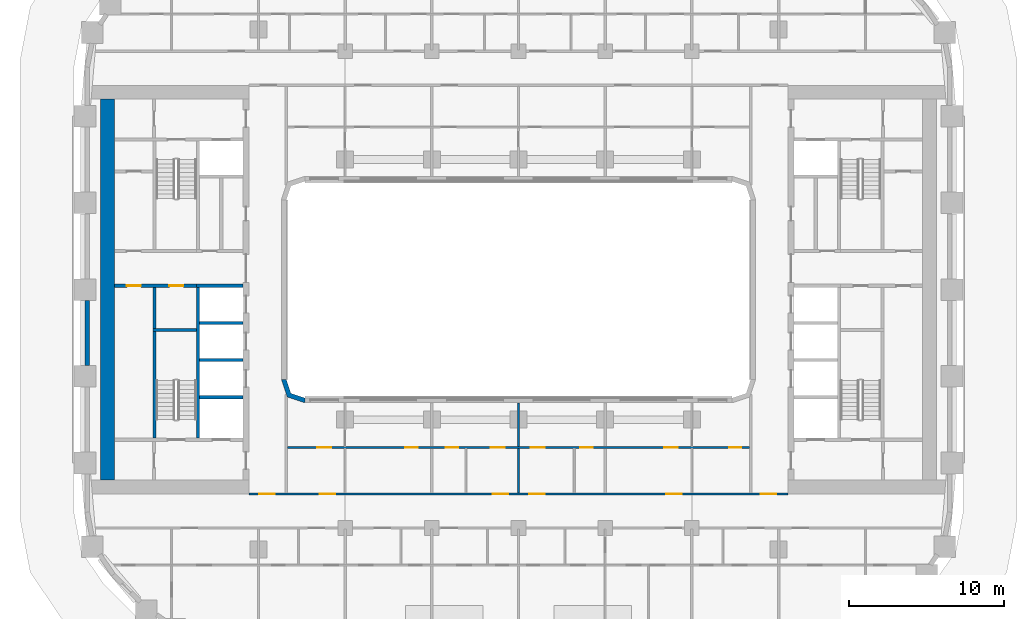
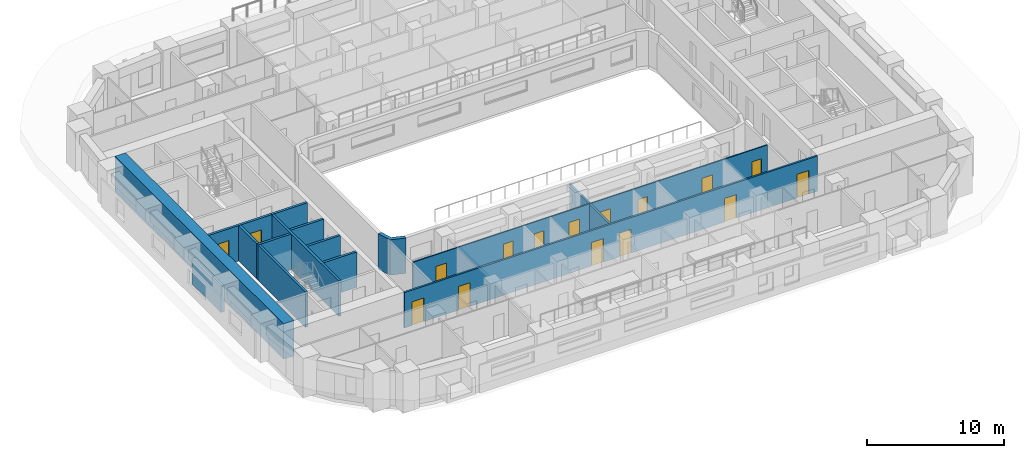
# One storey, part 4 of 18: 16 doors, 16 walls, 16 openings.
"""IFC4 building model written with IfcOpenShell, lengths in metres."""

from ifc_helpers import new_model, si_unit, direction, frame, frame_2d, origin, place, context, subcontext, project, spatial, polyline, rectangle, outline, extrude, material, layer, layer_set, type_object, element, fill, save


model = new_model("IFC4")

# Units and contexts
model_context = context("Model", 3, precision=1e-05, world=origin(), true_north=direction((0.0, 1.0)))
body_context = subcontext(model_context, "Body", "Model", "MODEL_VIEW")
ifc_project = project(units=[si_unit("LENGTHUNIT", "METRE"), si_unit("AREAUNIT", "SQUARE_METRE"), si_unit("VOLUMEUNIT", "CUBIC_METRE"), si_unit("PLANEANGLEUNIT", "RADIAN"), si_unit("MASSUNIT", "GRAM", prefix="KILO")], contexts=[model_context])

# Site, building, storey
site_placement = place(None, origin())
site = spatial("IfcSite", under=ifc_project, at=site_placement, CompositionType="ELEMENT")
building_placement = place(site_placement, origin())
building = spatial("IfcBuilding", under=site, at=building_placement, Name="Kiln Ring Residences", CompositionType="ELEMENT")
storey_placement = place(building_placement, frame((0.0, 0.0, 69.0)))
storey = spatial("IfcBuildingStorey", under=building, at=storey_placement, Name="L17", CompositionType="ELEMENT", Elevation=69.0)

# Wall
ifc_material_1 = material(Name="Gypsum board on steel studs", Category="steel")
ifc_layer_1 = layer(ifc_material_1, 0.199951171875)
ifc_layer_set_1 = layer_set([ifc_layer_1], Name="CORE-PARTITION-200")
wall_type_1 = type_object("IfcWallType", Name="CORE-PARTITION-200", PredefinedType="PARTITIONING", material=ifc_layer_set_1)
wall_1_placement = place(storey_placement, frame((-23.5, -2.5, 0.0), z_axis=(0.0, 0.0, 1.0), x_axis=(0.0, 1.0, 0.0)))
element("IfcWall", 1, at=wall_1_placement, inside=storey, type_object=wall_type_1, Name="Core partition west L17 1", PredefinedType="PARTITIONING", context=body_context, shape_type="SweptSolid", body=[
    extrude(rectangle(XDim=2.64990234375, YDim=0.199951171875, at=frame_2d((1.324951171875, 0.0))), origin(), (0.0, 0.0, 1.0), 3.14990234375),
])

# Wall, openings, doors
wall_2_placement = place(storey_placement, frame((-20.800048828125, 0.25, 0.0), z_axis=(0.0, 0.0, 1.0), x_axis=(-1.0, 0.0, 0.0)))
wall_2 = element("IfcWall", 2, at=wall_2_placement, inside=storey, type_object=wall_type_1, Name="Core partition west L17 2", PredefinedType="PARTITIONING", context=body_context, shape_type="SweptSolid", body=[
    extrude(rectangle(XDim=5.300048828125, YDim=0.199951171875, at=frame_2d((2.64990234375, 0.0))), origin(), (0.0, 0.0, 1.0), 3.14990234375),
])
opening_1_placement = place(wall_2_placement, frame((0.85009765625, 0.0, 0.0)))
opening_1 = element("IfcOpeningElement", 3, at=opening_1_placement, cuts=wall_2, Name="Opening L17-CW15", PredefinedType="OPENING", context=body_context, shape_type="SweptSolid", body=[
    extrude(rectangle(XDim=0.89990234375, YDim=2.10009765625, at=frame_2d((0.449951171875, 1.050048828125))), frame((0.0, 0.10986328125, 0.0), z_axis=(0.0, -1.0, 0.0), x_axis=(1.0, 0.0, 0.0)), (0.0, 0.0, 1.0), 0.219970703125),
])
opening_2_placement = place(wall_2_placement, frame((3.60009765625, 0.0, 0.0)))
opening_2 = element("IfcOpeningElement", 4, at=opening_2_placement, cuts=wall_2, Name="Opening L17-CW16", PredefinedType="OPENING", context=body_context, shape_type="SweptSolid", body=[
    extrude(rectangle(XDim=0.89990234375, YDim=2.10009765625, at=frame_2d((0.449951171875, 1.050048828125))), frame((0.0, 0.10986328125, 0.0), z_axis=(0.0, -1.0, 0.0), x_axis=(1.0, 0.0, 0.0)), (0.0, 0.0, 1.0), 0.219970703125),
])
ifc_material_2 = material(Name="Steel door leaf", Category="steel")
door_type_1 = type_object("IfcDoorType", Name="CORE-DOOR-ROOM", OperationType="SINGLE_SWING_LEFT", PredefinedType="DOOR", material=ifc_material_2)
door_1_placement = place(opening_1_placement, origin())
door_1 = element("IfcDoor", 5, at=door_1_placement, inside=storey, type_object=door_type_1, Name="Refuse and recycling room L17-CW15", OperationType="SINGLE_SWING_LEFT", OverallHeight=2.10009765625, OverallWidth=0.89990234375, PredefinedType="DOOR", context=body_context, shape_type="SweptSolid", body=[
    extrude(rectangle(XDim=0.89990234375, YDim=2.10009765625, at=frame_2d((0.449951171875, 1.050048828125))), frame((0.0, 0.02490234375, 0.0), z_axis=(0.0, -1.0, 0.0), x_axis=(1.0, 0.0, 0.0)), (0.0, 0.0, 1.0), 0.050048828125),
])
fill(opening_1, door_1)
door_2_placement = place(opening_2_placement, origin())
door_2 = element("IfcDoor", 6, at=door_2_placement, inside=storey, type_object=door_type_1, Name="Water tank room L17-CW16", OperationType="SINGLE_SWING_RIGHT", OverallHeight=2.10009765625, OverallWidth=0.89990234375, PredefinedType="DOOR", context=body_context, shape_type="SweptSolid", body=[
    extrude(rectangle(XDim=0.89990234375, YDim=2.10009765625, at=frame_2d((0.449951171875, 1.050048828125))), frame((0.0, 0.02490234375, 0.0), z_axis=(0.0, -1.0, 0.0), x_axis=(1.0, 0.0, 0.0)), (0.0, 0.0, 1.0), 0.050048828125),
])
fill(opening_2, door_2)

# Walls
ifc_material_3 = material(Name="Gypsum shaft wall system")
ifc_layer_2 = layer(ifc_material_3, 0.199951171875)
ifc_layer_set_2 = layer_set([ifc_layer_2], Name="CORE-SHAFT-WALL-200")
wall_type_2 = type_object("IfcWallType", Name="CORE-SHAFT-WALL-200", PredefinedType="PARTITIONING", material=ifc_layer_set_2)
for number, where, z_axis, x_axis, name in (
    (7, (-17.800048828125, -6.949951171875, 0.0), (0.0, 0.0, 1.0), (-1.0, 0.0, 0.0), "Core partition west L17 7"),
    (8, (-17.800048828125, -4.550048828125, 0.0), (0.0, 0.0, 1.0), (-1.0, 0.0, 0.0), "Core partition west L17 8"),
    (9, (-17.800048828125, -2.14990234375, 0.0), (0.0, 0.0, 1.0), (-1.0, 0.0, 0.0), "Core partition west L17 9"),
):
    element("IfcWall", number, at=place(storey_placement, frame(where, z_axis=z_axis, x_axis=x_axis)), inside=storey, type_object=wall_type_2, Name=name, PredefinedType="PARTITIONING", context=body_context, shape_type="SweptSolid", body=[
        extrude(rectangle(XDim=2.800048828125, YDim=0.199951171875, at=frame_2d((1.39990234375, 0.0))), origin(), (0.0, 0.0, 1.0), 3.14990234375),
    ])
wall_3_placement = place(storey_placement, frame((-17.800048828125, 0.25, 0.0), z_axis=(0.0, 0.0, 1.0), x_axis=(-1.0, 0.0, 0.0)))
element("IfcWall", 10, at=wall_3_placement, inside=storey, type_object=wall_type_2, Name="Core partition west L17 10", PredefinedType="PARTITIONING", context=body_context, shape_type="SweptSolid", body=[
    extrude(rectangle(XDim=3.0, YDim=0.199951171875, at=frame_2d((1.5, 0.0))), origin(), (0.0, 0.0, 1.0), 3.14990234375),
])
ifc_material_4 = material(Name="Concrete C40/50", Category="concrete")
ifc_layer_3 = layer(ifc_material_4, 0.199951171875)
ifc_layer_set_3 = layer_set([ifc_layer_3], Name="CORE-WALL-RC200")
wall_type_3 = type_object("IfcWallType", Name="CORE-WALL-RC200", PredefinedType="SHEAR", material=ifc_layer_set_3)
wall_4_placement = place(storey_placement, frame((-20.699951171875, -9.60009765625, 0.0), z_axis=(0.0, 0.0, 1.0), x_axis=(0.0, 1.0, 0.0)))
element("IfcWall", 11, at=wall_4_placement, inside=storey, type_object=wall_type_3, Name="Core wall west L17 2", PredefinedType="SHEAR", context=body_context, shape_type="SweptSolid", body=[
    extrude(rectangle(XDim=9.75, YDim=0.199951171875, at=frame_2d((4.875, 0.0))), origin(), (0.0, 0.0, 1.0), 3.14990234375),
])
wall_5_placement = place(storey_placement, frame((-23.5, -9.60009765625, 0.0), z_axis=(0.0, 0.0, 1.0), x_axis=(0.0, 1.0, 0.0)))
element("IfcWall", 12, at=wall_5_placement, inside=storey, type_object=wall_type_3, Name="Core wall west L17 11", PredefinedType="SHEAR", context=body_context, shape_type="SweptSolid", body=[
    extrude(rectangle(XDim=6.900146484375, YDim=0.199951171875, at=frame_2d((3.4501953125, 0.0))), origin(), (0.0, 0.0, 1.0), 3.14990234375),
])
wall_6_placement = place(storey_placement, frame((-20.800048828125, -2.60009765625, 0.0), z_axis=(0.0, 0.0, 1.0), x_axis=(-1.0, 0.0, 0.0)))
element("IfcWall", 13, at=wall_6_placement, inside=storey, type_object=wall_type_3, Name="Core wall west L17 12", PredefinedType="SHEAR", context=body_context, shape_type="SweptSolid", body=[
    extrude(rectangle(XDim=2.800048828125, YDim=0.199951171875, at=frame_2d((1.39990234375, 0.0))), origin(), (0.0, 0.0, 1.0), 3.14990234375),
])
ifc_material_5 = material(Name="Concrete C60/75", Category="concrete")
ifc_layer_4 = layer(ifc_material_5, 0.89990234375)
ifc_layer_set_4 = layer_set([ifc_layer_4], Name="CORE-WALL-RC900")
wall_type_4 = type_object("IfcWallType", Name="CORE-WALL-RC900", PredefinedType="SHEAR", material=ifc_layer_set_4)
wall_7_placement = place(storey_placement, frame((-26.550048828125, -12.300048828125, 0.0), z_axis=(0.0, 0.0, 1.0), x_axis=(0.0, 1.0, 0.0)))
element("IfcWall", 14, at=wall_7_placement, inside=storey, type_object=wall_type_4, Name="Core wall west L17 7", PredefinedType="SHEAR", context=body_context, shape_type="SweptSolid", body=[
    extrude(rectangle(XDim=24.60009765625, YDim=0.89990234375, at=frame_2d((12.300048828125, 0.0))), origin(), (0.0, 0.0, 1.0), 3.14990234375),
])
ifc_material_6 = material(Name="Brick masonry, dark clay brick", Category="masonry")
ifc_layer_5 = layer(ifc_material_6, 0.300048828125)
ifc_layer_set_5 = layer_set([ifc_layer_5], Name="EW-300 BRICK WALL")
wall_type_5 = type_object("IfcWallType", Name="EW-300 BRICK WALL", PredefinedType="SOLIDWALL", material=ifc_layer_set_5)
wall_8_placement = place(storey_placement, frame((-27.85009765625, -0.699951171875, 0.0), z_axis=(0.0, 0.0, 1.0), x_axis=(0.0, -1.0, 0.0)))
element("IfcWall", 15, at=wall_8_placement, inside=storey, type_object=wall_type_5, Name="Facade wall L17 44", PredefinedType="SOLIDWALL", context=body_context, shape_type="SweptSolid", body=[
    extrude(rectangle(XDim=4.199951171875, YDim=0.300048828125, at=frame_2d((2.10009765625, 0.0))), origin(), (0.0, 0.0, 1.0), 2.300048828125),
])
wall_9_placement = place(storey_placement, origin())
element("IfcWall", 16, at=wall_9_placement, inside=storey, type_object=wall_type_5, Name="Corner wall L17 4", PredefinedType="SOLIDWALL", context=body_context, shape_type="SweptSolid", body=[
    extrude(outline(polyline([(-14.937255859375, -6.937255859375), (-13.8486328125, -7.300048828125), (-13.800048828125, -7.300048828125), (-13.800048828125, -7.0), (-14.699951171875, -6.699951171875), (-15.0, -5.800048828125), (-15.300048828125, -5.800048828125), (-15.300048828125, -5.8486328125), (-14.937255859375, -6.937255859375)])), origin(), (0.0, 0.0, 1.0), 3.14990234375),
])

# Wall, openings, doors
ifc_material_7 = material(Name="Gypsum board on steel studs", Category="steel")
ifc_layer_6 = layer(ifc_material_7, 0.10009765625)
ifc_layer_set_6 = layer_set([ifc_layer_6], Name="PARTITION-100")
wall_type_6 = type_object("IfcWallType", Name="PARTITION-100", PredefinedType="PARTITIONING", material=ifc_layer_set_6)
wall_10_placement = place(storey_placement, frame((-14.925048828125, -10.199951171875, 0.0), z_axis=(0.0, 0.0, 1.0), x_axis=(1.0, 0.0, 0.0)))
wall_10 = element("IfcWall", 17, at=wall_10_placement, inside=storey, type_object=wall_type_6, Name="Partition 003", PredefinedType="PARTITIONING", context=body_context, shape_type="SweptSolid", body=[
    extrude(rectangle(XDim=29.85009765625, YDim=0.10009765625, at=frame_2d((14.925048828125, 0.0))), origin(), (0.0, 0.0, 1.0), 3.14990234375),
])
opening_3_placement = place(wall_10_placement, frame((7.625, 0.0, 0.0)))
opening_3 = element("IfcOpeningElement", 18, at=opening_3_placement, cuts=wall_10, Name="Opening L17-D044", PredefinedType="OPENING", context=body_context, shape_type="SweptSolid", body=[
    extrude(rectangle(XDim=0.800048828125, YDim=2.10009765625, at=frame_2d((0.39990234375, 1.050048828125))), frame((0.0, 0.06005859375, 0.0), z_axis=(0.0, -1.0, 0.0), x_axis=(1.0, 0.0, 0.0)), (0.0, 0.0, 1.0), 0.1201171875),
])
opening_4_placement = place(wall_10_placement, frame((1.925048828125, 0.0, 0.0)))
opening_4 = element("IfcOpeningElement", 19, at=opening_4_placement, cuts=wall_10, Name="Opening L17-D045", PredefinedType="OPENING", context=body_context, shape_type="SweptSolid", body=[
    extrude(rectangle(XDim=0.89990234375, YDim=2.10009765625, at=frame_2d((0.449951171875, 1.050048828125))), frame((0.0, 0.06005859375, 0.0), z_axis=(0.0, -1.0, 0.0), x_axis=(1.0, 0.0, 0.0)), (0.0, 0.0, 1.0), 0.1201171875),
])
opening_5_placement = place(wall_10_placement, frame((10.22509765625, 0.0, 0.0)))
opening_5 = element("IfcOpeningElement", 20, at=opening_5_placement, cuts=wall_10, Name="Opening L17-D048", PredefinedType="OPENING", context=body_context, shape_type="SweptSolid", body=[
    extrude(rectangle(XDim=0.800048828125, YDim=2.10009765625, at=frame_2d((0.39990234375, 1.050048828125))), frame((0.0, 0.06005859375, 0.0), z_axis=(0.0, -1.0, 0.0), x_axis=(1.0, 0.0, 0.0)), (0.0, 0.0, 1.0), 0.1201171875),
])
opening_6_placement = place(wall_10_placement, frame((13.125, 0.0, 0.0)))
opening_6 = element("IfcOpeningElement", 21, at=opening_6_placement, cuts=wall_10, Name="Opening L17-D049", PredefinedType="OPENING", context=body_context, shape_type="SweptSolid", body=[
    extrude(rectangle(XDim=0.89990234375, YDim=2.10009765625, at=frame_2d((0.449951171875, 1.050048828125))), frame((0.0, 0.06005859375, 0.0), z_axis=(0.0, -1.0, 0.0), x_axis=(1.0, 0.0, 0.0)), (0.0, 0.0, 1.0), 0.1201171875),
])
opening_7_placement = place(wall_10_placement, frame((18.925048828125, 0.0, 0.0)))
opening_7 = element("IfcOpeningElement", 22, at=opening_7_placement, cuts=wall_10, Name="Opening L17-D051", PredefinedType="OPENING", context=body_context, shape_type="SweptSolid", body=[
    extrude(rectangle(XDim=0.800048828125, YDim=2.10009765625, at=frame_2d((0.39990234375, 1.050048828125))), frame((0.0, 0.06005859375, 0.0), z_axis=(0.0, -1.0, 0.0), x_axis=(1.0, 0.0, 0.0)), (0.0, 0.0, 1.0), 0.1201171875),
])
opening_8_placement = place(wall_10_placement, frame((15.72509765625, 0.0, 0.0)))
opening_8 = element("IfcOpeningElement", 23, at=opening_8_placement, cuts=wall_10, Name="Opening L17-D052", PredefinedType="OPENING", context=body_context, shape_type="SweptSolid", body=[
    extrude(rectangle(XDim=0.89990234375, YDim=2.10009765625, at=frame_2d((0.449951171875, 1.050048828125))), frame((0.0, 0.06005859375, 0.0), z_axis=(0.0, -1.0, 0.0), x_axis=(1.0, 0.0, 0.0)), (0.0, 0.0, 1.0), 0.1201171875),
])
opening_9_placement = place(wall_10_placement, frame((28.52490234375, 0.0, 0.0)))
opening_9 = element("IfcOpeningElement", 24, at=opening_9_placement, cuts=wall_10, Name="Opening L17-D054", PredefinedType="OPENING", context=body_context, shape_type="SweptSolid", body=[
    extrude(rectangle(XDim=0.800048828125, YDim=2.10009765625, at=frame_2d((0.39990234375, 1.050048828125))), frame((0.0, 0.06005859375, 0.0), z_axis=(0.0, -1.0, 0.0), x_axis=(1.0, 0.0, 0.0)), (0.0, 0.0, 1.0), 0.1201171875),
])
opening_10_placement = place(wall_10_placement, frame((24.324951171875, 0.0, 0.0)))
opening_10 = element("IfcOpeningElement", 25, at=opening_10_placement, cuts=wall_10, Name="Opening L17-D055", PredefinedType="OPENING", context=body_context, shape_type="SweptSolid", body=[
    extrude(rectangle(XDim=0.89990234375, YDim=2.10009765625, at=frame_2d((0.449951171875, 1.050048828125))), frame((0.0, 0.06005859375, 0.0), z_axis=(0.0, -1.0, 0.0), x_axis=(1.0, 0.0, 0.0)), (0.0, 0.0, 1.0), 0.1201171875),
])
ifc_material_8 = material(Name="Timber door leaf", Category="wood")
door_type_2 = type_object("IfcDoorType", Name="FLAT-DOOR-800-PL", OperationType="SINGLE_SWING_LEFT", PredefinedType="DOOR", material=ifc_material_8)
door_3_placement = place(opening_3_placement, origin())
door_3 = element("IfcDoor", 26, at=door_3_placement, inside=storey, type_object=door_type_2, Name="Door L17-D044", OperationType="SINGLE_SWING_RIGHT", OverallHeight=2.10009765625, OverallWidth=0.800048828125, PredefinedType="DOOR", context=body_context, shape_type="SweptSolid", body=[
    extrude(rectangle(XDim=0.800048828125, YDim=2.10009765625, at=frame_2d((0.39990234375, 1.050048828125))), frame((0.0, 0.02490234375, 0.0), z_axis=(0.0, -1.0, 0.0), x_axis=(1.0, 0.0, 0.0)), (0.0, 0.0, 1.0), 0.050048828125),
])
fill(opening_3, door_3)
door_4_placement = place(opening_5_placement, origin())
door_4 = element("IfcDoor", 27, at=door_4_placement, inside=storey, type_object=door_type_2, Name="Door L17-D048", OperationType="SINGLE_SWING_RIGHT", OverallHeight=2.10009765625, OverallWidth=0.800048828125, PredefinedType="DOOR", context=body_context, shape_type="SweptSolid", body=[
    extrude(rectangle(XDim=0.800048828125, YDim=2.10009765625, at=frame_2d((0.39990234375, 1.050048828125))), frame((0.0, 0.02490234375, 0.0), z_axis=(0.0, -1.0, 0.0), x_axis=(1.0, 0.0, 0.0)), (0.0, 0.0, 1.0), 0.050048828125),
])
fill(opening_5, door_4)
door_5_placement = place(opening_7_placement, origin())
door_5 = element("IfcDoor", 28, at=door_5_placement, inside=storey, type_object=door_type_2, Name="Door L17-D051", OperationType="SINGLE_SWING_LEFT", OverallHeight=2.10009765625, OverallWidth=0.800048828125, PredefinedType="DOOR", context=body_context, shape_type="SweptSolid", body=[
    extrude(rectangle(XDim=0.800048828125, YDim=2.10009765625, at=frame_2d((0.39990234375, 1.050048828125))), frame((0.0, 0.02490234375, 0.0), z_axis=(0.0, -1.0, 0.0), x_axis=(1.0, 0.0, 0.0)), (0.0, 0.0, 1.0), 0.050048828125),
])
fill(opening_7, door_5)
door_6_placement = place(opening_9_placement, origin())
door_6 = element("IfcDoor", 29, at=door_6_placement, inside=storey, type_object=door_type_2, Name="Door L17-D054", OperationType="SINGLE_SWING_RIGHT", OverallHeight=2.10009765625, OverallWidth=0.800048828125, PredefinedType="DOOR", context=body_context, shape_type="SweptSolid", body=[
    extrude(rectangle(XDim=0.800048828125, YDim=2.10009765625, at=frame_2d((0.39990234375, 1.050048828125))), frame((0.0, 0.02490234375, 0.0), z_axis=(0.0, -1.0, 0.0), x_axis=(1.0, 0.0, 0.0)), (0.0, 0.0, 1.0), 0.050048828125),
])
fill(opening_9, door_6)
ifc_material_9 = material(Name="Timber door leaf", Category="wood")
door_type_3 = type_object("IfcDoorType", Name="FLAT-DOOR-900-PL", OperationType="SINGLE_SWING_LEFT", PredefinedType="DOOR", material=ifc_material_9)
door_7_placement = place(opening_4_placement, origin())
door_7 = element("IfcDoor", 30, at=door_7_placement, inside=storey, type_object=door_type_3, Name="Door L17-D045", OperationType="SINGLE_SWING_LEFT", OverallHeight=2.10009765625, OverallWidth=0.89990234375, PredefinedType="DOOR", context=body_context, shape_type="SweptSolid", body=[
    extrude(rectangle(XDim=0.89990234375, YDim=2.10009765625, at=frame_2d((0.449951171875, 1.050048828125))), frame((0.0, 0.02490234375, 0.0), z_axis=(0.0, -1.0, 0.0), x_axis=(1.0, 0.0, 0.0)), (0.0, 0.0, 1.0), 0.050048828125),
])
fill(opening_4, door_7)
door_8_placement = place(opening_6_placement, origin())
door_8 = element("IfcDoor", 31, at=door_8_placement, inside=storey, type_object=door_type_3, Name="Door L17-D049", OperationType="SINGLE_SWING_LEFT", OverallHeight=2.10009765625, OverallWidth=0.89990234375, PredefinedType="DOOR", context=body_context, shape_type="SweptSolid", body=[
    extrude(rectangle(XDim=0.89990234375, YDim=2.10009765625, at=frame_2d((0.449951171875, 1.050048828125))), frame((0.0, 0.02490234375, 0.0), z_axis=(0.0, -1.0, 0.0), x_axis=(1.0, 0.0, 0.0)), (0.0, 0.0, 1.0), 0.050048828125),
])
fill(opening_6, door_8)
door_9_placement = place(opening_8_placement, origin())
door_9 = element("IfcDoor", 32, at=door_9_placement, inside=storey, type_object=door_type_3, Name="Door L17-D052", OperationType="SINGLE_SWING_RIGHT", OverallHeight=2.10009765625, OverallWidth=0.89990234375, PredefinedType="DOOR", context=body_context, shape_type="SweptSolid", body=[
    extrude(rectangle(XDim=0.89990234375, YDim=2.10009765625, at=frame_2d((0.449951171875, 1.050048828125))), frame((0.0, 0.02490234375, 0.0), z_axis=(0.0, -1.0, 0.0), x_axis=(1.0, 0.0, 0.0)), (0.0, 0.0, 1.0), 0.050048828125),
])
fill(opening_8, door_9)
door_10_placement = place(opening_10_placement, origin())
door_10 = element("IfcDoor", 33, at=door_10_placement, inside=storey, type_object=door_type_3, Name="Door L17-D055", OperationType="SINGLE_SWING_LEFT", OverallHeight=2.10009765625, OverallWidth=0.89990234375, PredefinedType="DOOR", context=body_context, shape_type="SweptSolid", body=[
    extrude(rectangle(XDim=0.89990234375, YDim=2.10009765625, at=frame_2d((0.449951171875, 1.050048828125))), frame((0.0, 0.02490234375, 0.0), z_axis=(0.0, -1.0, 0.0), x_axis=(1.0, 0.0, 0.0)), (0.0, 0.0, 1.0), 0.050048828125),
])
fill(opening_10, door_10)

ifc_material_10 = material(Name="Brick masonry partition", Category="masonry")
ifc_layer_7 = layer(ifc_material_10, 0.14990234375)
ifc_layer_set_7 = layer_set([ifc_layer_7], Name="PARTITION-150-ei60")
wall_type_7 = type_object("IfcWallType", Name="PARTITION-150-ei60", PredefinedType="PARTITIONING", material=ifc_layer_set_7)
wall_11_placement = place(storey_placement, frame((-17.39990234375, -13.199951171875, 0.0), z_axis=(0.0, 0.0, 1.0), x_axis=(1.0, 0.0, 0.0)))
wall_11 = element("IfcWall", 34, at=wall_11_placement, inside=storey, type_object=wall_type_7, Name="Partition 002", PredefinedType="PARTITIONING", context=body_context, shape_type="SweptSolid", body=[
    extrude(rectangle(XDim=34.7998046875, YDim=0.14990234375, at=frame_2d((17.39990234375, 0.0))), origin(), (0.0, 0.0, 1.0), 3.14990234375),
])
opening_11_placement = place(wall_11_placement, frame((0.64990234375, 0.0, 0.0)))
opening_11 = element("IfcOpeningElement", 35, at=opening_11_placement, cuts=wall_11, Name="Opening L17-D003", PredefinedType="OPENING", context=body_context, shape_type="SweptSolid", body=[
    extrude(rectangle(XDim=1.0, YDim=2.10009765625, at=frame_2d((0.5, 1.050048828125))), frame((0.0, 0.0849609375, 0.0), z_axis=(0.0, -1.0, 0.0), x_axis=(1.0, 0.0, 0.0)), (0.0, 0.0, 1.0), 0.169921875),
])
opening_12_placement = place(wall_11_placement, frame((33.050048828125, 0.0, 0.0)))
opening_12 = element("IfcOpeningElement", 36, at=opening_12_placement, cuts=wall_11, Name="Opening L17-D004", PredefinedType="OPENING", context=body_context, shape_type="SweptSolid", body=[
    extrude(rectangle(XDim=1.0, YDim=2.10009765625, at=frame_2d((0.5, 1.050048828125))), frame((0.0, 0.0849609375, 0.0), z_axis=(0.0, -1.0, 0.0), x_axis=(1.0, 0.0, 0.0)), (0.0, 0.0, 1.0), 0.169921875),
])
opening_13_placement = place(wall_11_placement, frame((4.550048828125, 0.0, 0.0)))
opening_13 = element("IfcOpeningElement", 37, at=opening_13_placement, cuts=wall_11, Name="Opening L17-D043", PredefinedType="OPENING", context=body_context, shape_type="SweptSolid", body=[
    extrude(rectangle(XDim=1.0, YDim=2.10009765625, at=frame_2d((0.5, 1.050048828125))), frame((0.0, 0.0849609375, 0.0), z_axis=(0.0, -1.0, 0.0), x_axis=(1.0, 0.0, 0.0)), (0.0, 0.0, 1.0), 0.169921875),
])
opening_14_placement = place(wall_11_placement, frame((15.75, 0.0, 0.0)))
opening_14 = element("IfcOpeningElement", 38, at=opening_14_placement, cuts=wall_11, Name="Opening L17-D047", PredefinedType="OPENING", context=body_context, shape_type="SweptSolid", body=[
    extrude(rectangle(XDim=1.0, YDim=2.10009765625, at=frame_2d((0.5, 1.050048828125))), frame((0.0, 0.0849609375, 0.0), z_axis=(0.0, -1.0, 0.0), x_axis=(1.0, 0.0, 0.0)), (0.0, 0.0, 1.0), 0.169921875),
])
opening_15_placement = place(wall_11_placement, frame((18.10009765625, 0.0, 0.0)))
opening_15 = element("IfcOpeningElement", 39, at=opening_15_placement, cuts=wall_11, Name="Opening L17-D050", PredefinedType="OPENING", context=body_context, shape_type="SweptSolid", body=[
    extrude(rectangle(XDim=1.0, YDim=2.10009765625, at=frame_2d((0.5, 1.050048828125))), frame((0.0, 0.0849609375, 0.0), z_axis=(0.0, -1.0, 0.0), x_axis=(1.0, 0.0, 0.0)), (0.0, 0.0, 1.0), 0.169921875),
])
opening_16_placement = place(wall_11_placement, frame((26.949951171875, 0.0, 0.0)))
opening_16 = element("IfcOpeningElement", 40, at=opening_16_placement, cuts=wall_11, Name="Opening L17-D053", PredefinedType="OPENING", context=body_context, shape_type="SweptSolid", body=[
    extrude(rectangle(XDim=1.0, YDim=2.10009765625, at=frame_2d((0.5, 1.050048828125))), frame((0.0, 0.0849609375, 0.0), z_axis=(0.0, -1.0, 0.0), x_axis=(1.0, 0.0, 0.0)), (0.0, 0.0, 1.0), 0.169921875),
])
ifc_material_11 = material(Name="Steel faced fire door leaf", Category="steel")
door_type_4 = type_object("IfcDoorType", Name="FLAT-DOOR-1000-FR", OperationType="SINGLE_SWING_LEFT", PredefinedType="DOOR", material=ifc_material_11)
door_11_placement = place(opening_11_placement, origin())
door_11 = element("IfcDoor", 41, at=door_11_placement, inside=storey, type_object=door_type_4, Name="Door L17-D003", OperationType="SINGLE_SWING_RIGHT", OverallHeight=2.10009765625, OverallWidth=1.0, PredefinedType="DOOR", context=body_context, shape_type="SweptSolid", body=[
    extrude(rectangle(XDim=1.0, YDim=2.10009765625, at=frame_2d((0.5, 1.050048828125))), frame((0.0, 0.02490234375, 0.0), z_axis=(0.0, -1.0, 0.0), x_axis=(1.0, 0.0, 0.0)), (0.0, 0.0, 1.0), 0.050048828125),
])
fill(opening_11, door_11)
door_12_placement = place(opening_12_placement, origin())
door_12 = element("IfcDoor", 42, at=door_12_placement, inside=storey, type_object=door_type_4, Name="Door L17-D004", OperationType="SINGLE_SWING_LEFT", OverallHeight=2.10009765625, OverallWidth=1.0, PredefinedType="DOOR", context=body_context, shape_type="SweptSolid", body=[
    extrude(rectangle(XDim=1.0, YDim=2.10009765625, at=frame_2d((0.5, 1.050048828125))), frame((0.0, 0.02490234375, 0.0), z_axis=(0.0, -1.0, 0.0), x_axis=(1.0, 0.0, 0.0)), (0.0, 0.0, 1.0), 0.050048828125),
])
fill(opening_12, door_12)
door_13_placement = place(opening_13_placement, origin())
door_13 = element("IfcDoor", 43, at=door_13_placement, inside=storey, type_object=door_type_4, Name="Door L17-D043", OperationType="SINGLE_SWING_LEFT", OverallHeight=2.10009765625, OverallWidth=1.0, PredefinedType="DOOR", context=body_context, shape_type="SweptSolid", body=[
    extrude(rectangle(XDim=1.0, YDim=2.10009765625, at=frame_2d((0.5, 1.050048828125))), frame((0.0, 0.02490234375, 0.0), z_axis=(0.0, -1.0, 0.0), x_axis=(1.0, 0.0, 0.0)), (0.0, 0.0, 1.0), 0.050048828125),
])
fill(opening_13, door_13)
door_14_placement = place(opening_14_placement, origin())
door_14 = element("IfcDoor", 44, at=door_14_placement, inside=storey, type_object=door_type_4, Name="Door L17-D047", OperationType="SINGLE_SWING_LEFT", OverallHeight=2.10009765625, OverallWidth=1.0, PredefinedType="DOOR", context=body_context, shape_type="SweptSolid", body=[
    extrude(rectangle(XDim=1.0, YDim=2.10009765625, at=frame_2d((0.5, 1.050048828125))), frame((0.0, 0.02490234375, 0.0), z_axis=(0.0, -1.0, 0.0), x_axis=(1.0, 0.0, 0.0)), (0.0, 0.0, 1.0), 0.050048828125),
])
fill(opening_14, door_14)
door_15_placement = place(opening_15_placement, origin())
door_15 = element("IfcDoor", 45, at=door_15_placement, inside=storey, type_object=door_type_4, Name="Door L17-D050", OperationType="SINGLE_SWING_RIGHT", OverallHeight=2.10009765625, OverallWidth=1.0, PredefinedType="DOOR", context=body_context, shape_type="SweptSolid", body=[
    extrude(rectangle(XDim=1.0, YDim=2.10009765625, at=frame_2d((0.5, 1.050048828125))), frame((0.0, 0.02490234375, 0.0), z_axis=(0.0, -1.0, 0.0), x_axis=(1.0, 0.0, 0.0)), (0.0, 0.0, 1.0), 0.050048828125),
])
fill(opening_15, door_15)
door_16_placement = place(opening_16_placement, origin())
door_16 = element("IfcDoor", 46, at=door_16_placement, inside=storey, type_object=door_type_4, Name="Door L17-D053", OperationType="SINGLE_SWING_LEFT", OverallHeight=2.10009765625, OverallWidth=1.0, PredefinedType="DOOR", context=body_context, shape_type="SweptSolid", body=[
    extrude(rectangle(XDim=1.0, YDim=2.10009765625, at=frame_2d((0.5, 1.050048828125))), frame((0.0, 0.02490234375, 0.0), z_axis=(0.0, -1.0, 0.0), x_axis=(1.0, 0.0, 0.0)), (0.0, 0.0, 1.0), 0.050048828125),
])
fill(opening_16, door_16)

# Walls
wall_12_placement = place(storey_placement, frame((0.0, -13.125, 0.0), z_axis=(0.0, 0.0, 1.0), x_axis=(0.0, 1.0, 0.0)))
element("IfcWall", 47, at=wall_12_placement, inside=storey, type_object=wall_type_7, Name="Partition 045", PredefinedType="PARTITIONING", context=body_context, shape_type="SweptSolid", body=[
    extrude(rectangle(XDim=2.875, YDim=0.14990234375, at=frame_2d((1.4375, 0.0))), origin(), (0.0, 0.0, 1.0), 3.14990234375),
])
wall_13_placement = place(storey_placement, frame((0.0, -10.14990234375, 0.0), z_axis=(0.0, 0.0, 1.0), x_axis=(0.0, 1.0, 0.0)))
element("IfcWall", 48, at=wall_13_placement, inside=storey, type_object=wall_type_7, Name="Partition 046", PredefinedType="PARTITIONING", context=body_context, shape_type="SweptSolid", body=[
    extrude(rectangle(XDim=2.829833984375, YDim=0.14990234375, at=frame_2d((1.4150390625, 0.0))), origin(), (0.0, 0.0, 1.0), 3.14990234375),
])

save(model, "model.ifc")
